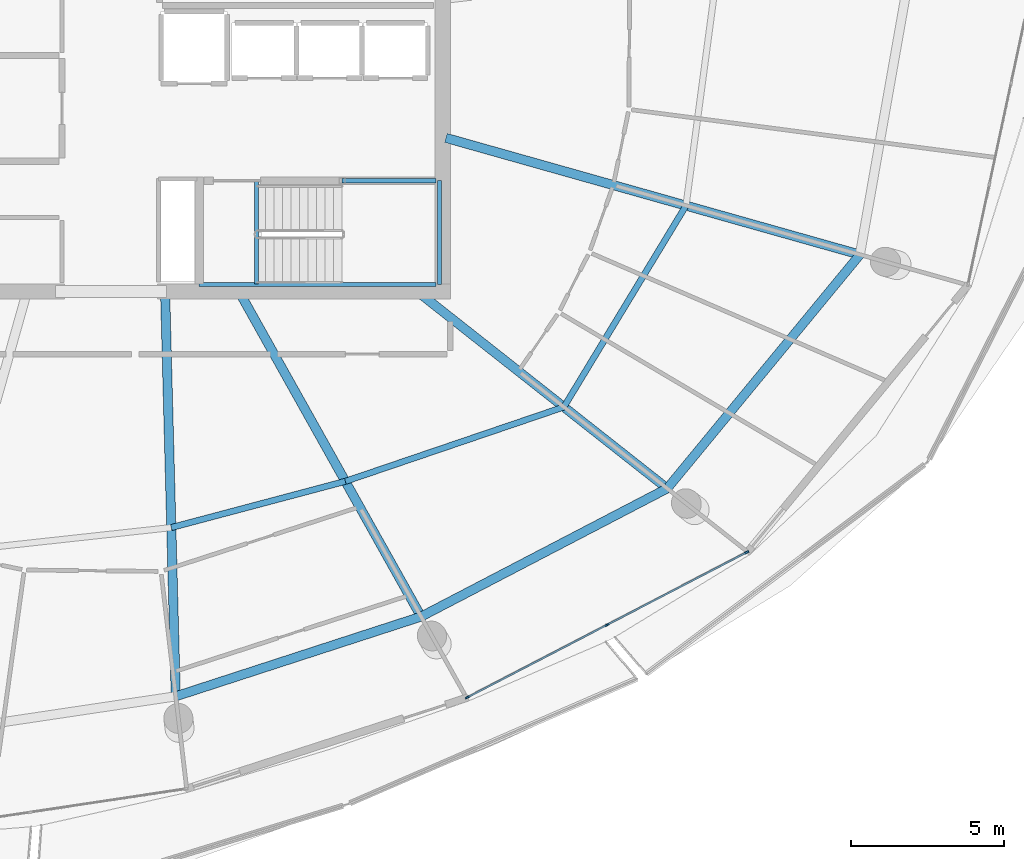
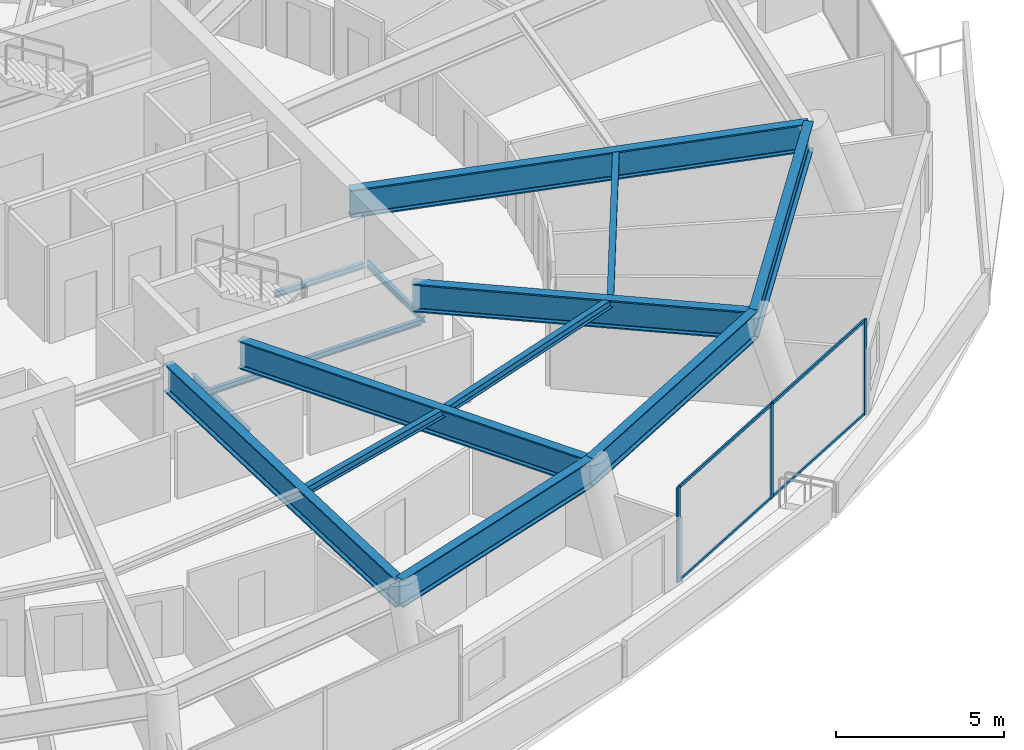
# One storey, part 10 of 30: 14 beams, 7 members, 1 element without a shape of its own.
"""IFC4 building model written with IfcOpenShell, lengths in metres."""

from ifc_helpers import new_model, si_unit, direction, frame, origin, origin_2d, place, context, subcontext, project, spatial, rectangle, i_section, extrude, material, layer, layer_set, material_profile, profile_set, type_object, element, aggregate, save


model = new_model("IFC4")

# Units and contexts
model_context = context("Model", 3, precision=1e-05, world=origin(), true_north=direction((0.0, 1.0)))
body_context = subcontext(model_context, "Body", "Model", "MODEL_VIEW")
ifc_project = project(units=[si_unit("LENGTHUNIT", "METRE"), si_unit("AREAUNIT", "SQUARE_METRE"), si_unit("VOLUMEUNIT", "CUBIC_METRE"), si_unit("PLANEANGLEUNIT", "RADIAN"), si_unit("MASSUNIT", "GRAM", prefix="KILO")], contexts=[model_context])

# Site, building, storey
site_placement = place(None, origin())
site = spatial("IfcSite", under=ifc_project, at=site_placement, CompositionType="ELEMENT")
building_placement = place(site_placement, origin())
building = spatial("IfcBuilding", under=site, at=building_placement, Name="Kazma Halo Residences", CompositionType="ELEMENT")
storey_placement = place(building_placement, frame((0.0, 0.0, 302.14990234375)))
storey = spatial("IfcBuildingStorey", under=building, at=storey_placement, Name="L76", CompositionType="ELEMENT", Elevation=302.14990234375)

# Beams
ifc_material_1 = material(Name="Steel S355", Category="steel")
ifc_material_profile_1 = material_profile(ifc_material_1, i_section(OverallWidth=0.202880859375, OverallDepth=0.302978515625, WebThickness=0.007568359375, FlangeThickness=0.01318359375, FilletRadius=0.013916015625, at=origin_2d()), Name="W310x60")
ifc_profile_set_1 = profile_set([ifc_material_profile_1], Name="Steel S355")
beam_type_1 = type_object("IfcBeamType", Name="BM-SEC-W310A", PredefinedType="JOIST", material=ifc_profile_set_1)
beam_1_placement = place(storey_placement, frame((50.401123046875, 26.012451171875, 3.298583984375), z_axis=(0.966472776829, 0.256769101818, 0.0), x_axis=(-0.256769101818, 0.966472776829, 0.0)))
element("IfcBeam", 1, at=beam_1_placement, inside=storey, type_object=beam_type_1, Name="L76 circumferential floor joist 12", PredefinedType="JOIST", context=body_context, shape_type="SweptSolid", body=[
    extrude(i_section(OverallWidth=0.202880859375, OverallDepth=0.302978515625, WebThickness=0.007568359375, FlangeThickness=0.01318359375, FilletRadius=0.013916015625, at=origin_2d()), origin(), (0.0, 0.0, 1.0), 5.901611328125),
])
beam_2_placement = place(storey_placement, frame((56.10498046875, 27.52783203125, 3.298583984375), z_axis=(0.94674244901, 0.321991824808, 0.0), x_axis=(-0.321991824808, 0.94674244901, 0.0)))
element("IfcBeam", 2, at=beam_2_placement, inside=storey, type_object=beam_type_1, Name="L76 circumferential floor joist 13", PredefinedType="JOIST", context=body_context, shape_type="SweptSolid", body=[
    extrude(i_section(OverallWidth=0.202880859375, OverallDepth=0.302978515625, WebThickness=0.007568359375, FlangeThickness=0.01318359375, FilletRadius=0.013916015625, at=origin_2d()), origin(), (0.0, 0.0, 1.0), 7.5654296875),
])
beam_3_placement = place(storey_placement, frame((63.267578125, 29.9638671875, 3.298583984375), z_axis=(0.51850355017, 0.855075475301, 0.0), x_axis=(-0.855075475301, 0.51850355017, 0.0)))
element("IfcBeam", 3, at=beam_3_placement, inside=storey, type_object=beam_type_1, Name="L76 circumferential floor joist 14", PredefinedType="JOIST", context=body_context, shape_type="SweptSolid", body=[
    extrude(i_section(OverallWidth=0.202880859375, OverallDepth=0.302978515625, WebThickness=0.007568359375, FlangeThickness=0.01318359375, FilletRadius=0.013916015625, at=origin_2d()), origin(), (0.0, 0.0, 1.0), 7.72021484375),
])
ifc_material_profile_2 = material_profile(ifc_material_1, i_section(OverallWidth=0.302001953125, OverallDepth=1.01806640625, WebThickness=0.021484375, FlangeThickness=0.049072265625, FilletRadius=0.028076171875, at=origin_2d()), Name="W1000x443")
ifc_profile_set_2 = profile_set([ifc_material_profile_2], Name="Steel S355")
beam_type_2 = type_object("IfcBeamType", Name="BM-TRANS-W1000A", PredefinedType="BEAM", material=ifc_profile_set_2)
beam_4_placement = place(storey_placement, frame((50.199951171875, 33.64990234375, 2.941162109375), z_axis=(0.026336412982, -0.999653136518, 0.0), x_axis=(0.999653136518, 0.026336412982, 0.0)))
element("IfcBeam", 4, at=beam_4_placement, inside=storey, type_object=beam_type_2, Name="L76 podium radial transfer girder 12", PredefinedType="BEAM", context=body_context, shape_type="SweptSolid", body=[
    extrude(i_section(OverallWidth=0.302001953125, OverallDepth=1.01806640625, WebThickness=0.021484375, FlangeThickness=0.049072265625, FilletRadius=0.028076171875, at=origin_2d()), origin(), (0.0, 0.0, 1.0), 13.1728515625),
])
beam_5_placement = place(storey_placement, frame((52.67626953125, 33.64990234375, 2.941162109375), z_axis=(0.488624876379, -0.872493971431, 0.0), x_axis=(0.872493971431, 0.488624876379, 0.0)))
element("IfcBeam", 5, at=beam_5_placement, inside=storey, type_object=beam_type_2, Name="L76 podium radial transfer girder 13", PredefinedType="BEAM", context=body_context, shape_type="SweptSolid", body=[
    extrude(i_section(OverallWidth=0.302001953125, OverallDepth=1.01806640625, WebThickness=0.021484375, FlangeThickness=0.049072265625, FilletRadius=0.028076171875, at=origin_2d()), origin(), (0.0, 0.0, 1.0), 12.097900390625),
])
beam_6_placement = place(storey_placement, frame((58.591796875, 33.64990234375, 2.941162109375), z_axis=(0.78533364702, -0.6190727444, 0.0), x_axis=(0.6190727444, 0.78533364702, 0.0)))
element("IfcBeam", 6, at=beam_6_placement, inside=storey, type_object=beam_type_2, Name="L76 podium radial transfer girder 14", PredefinedType="BEAM", context=body_context, shape_type="SweptSolid", body=[
    extrude(i_section(OverallWidth=0.302001953125, OverallDepth=1.01806640625, WebThickness=0.021484375, FlangeThickness=0.049072265625, FilletRadius=0.028076171875, at=origin_2d()), origin(), (0.0, 0.0, 1.0), 10.265625),
])
beam_7_placement = place(storey_placement, frame((59.39990234375, 38.784912109375, 2.941162109375), z_axis=(0.962454083935, -0.271444536356, 0.0), x_axis=(0.271444536356, 0.962454083935, 0.0)))
element("IfcBeam", 7, at=beam_7_placement, inside=storey, type_object=beam_type_2, Name="L76 podium radial transfer girder 15", PredefinedType="BEAM", context=body_context, shape_type="SweptSolid", body=[
    extrude(i_section(OverallWidth=0.302001953125, OverallDepth=1.01806640625, WebThickness=0.021484375, FlangeThickness=0.049072265625, FilletRadius=0.028076171875, at=origin_2d()), origin(), (0.0, 0.0, 1.0), 14.09912109375),
])
ifc_material_profile_3 = material_profile(ifc_material_1, i_section(OverallWidth=0.300048828125, OverallDepth=1.0, WebThickness=0.01904296875, FlangeThickness=0.0400390625, FilletRadius=0.02587890625, at=origin_2d()), Name="W1000x371")
ifc_profile_set_3 = profile_set([ifc_material_profile_3], Name="Steel S355")
beam_type_3 = type_object("IfcBeamType", Name="BM-TRANS-W1000B", PredefinedType="BEAM", material=ifc_profile_set_3)
beam_8_placement = place(storey_placement, frame((50.546875, 20.481689453125, 2.9501953125), z_axis=(0.95104998305, 0.309037100914, 0.0), x_axis=(-0.309037100914, 0.95104998305, 0.0)))
element("IfcBeam", 8, at=beam_8_placement, inside=storey, type_object=beam_type_3, Name="L76 perimeter ring beam 12", PredefinedType="BEAM", context=body_context, shape_type="SweptSolid", body=[
    extrude(i_section(OverallWidth=0.300048828125, OverallDepth=1.0, WebThickness=0.01904296875, FlangeThickness=0.0400390625, FilletRadius=0.02587890625, at=origin_2d()), origin(), (0.0, 0.0, 1.0), 8.45458984375),
])
beam_9_placement = place(storey_placement, frame((58.587646484375, 23.094482421875, 2.9501953125), z_axis=(0.886956012642, 0.461853907246, 0.0), x_axis=(-0.461853907246, 0.886956012642, 0.0)))
element("IfcBeam", 9, at=beam_9_placement, inside=storey, type_object=beam_type_3, Name="L76 perimeter ring beam 13", PredefinedType="BEAM", context=body_context, shape_type="SweptSolid", body=[
    extrude(i_section(OverallWidth=0.300048828125, OverallDepth=1.0, WebThickness=0.01904296875, FlangeThickness=0.0400390625, FilletRadius=0.02587890625, at=origin_2d()), origin(), (0.0, 0.0, 1.0), 9.09423828125),
])
beam_10_placement = place(storey_placement, frame((66.65380859375, 27.294677734375, 2.9501953125), z_axis=(0.636015706677, 0.771676111371, 0.0), x_axis=(-0.771676111371, 0.636015706677, 0.0)))
element("IfcBeam", 10, at=beam_10_placement, inside=storey, type_object=beam_type_3, Name="L76 perimeter ring beam 14", PredefinedType="BEAM", context=body_context, shape_type="SweptSolid", body=[
    extrude(i_section(OverallWidth=0.300048828125, OverallDepth=1.0, WebThickness=0.01904296875, FlangeThickness=0.0400390625, FilletRadius=0.02587890625, at=origin_2d()), origin(), (0.0, 0.0, 1.0), 9.930419921875),
])
ifc_material_profile_4 = material_profile(ifc_material_1, i_section(OverallWidth=0.133056640625, OverallDepth=0.20703125, WebThickness=0.005859375, FlangeThickness=0.00830078125, FilletRadius=0.010009765625, at=origin_2d()), Name="W200x26.6")
ifc_profile_set_4 = profile_set([ifc_material_profile_4], Name="Steel S355")
beam_type_4 = type_object("IfcBeamType", Name="BM-TRIM-W200", PredefinedType="BEAM", material=ifc_profile_set_4)
beam_11_placement = place(storey_placement, frame((53.199951171875, 34.0, -0.369873046875), z_axis=(0.0, 1.0, 0.0), x_axis=(-1.0, 0.0, 0.0)))
element("IfcBeam", 11, at=beam_11_placement, inside=storey, type_object=beam_type_4, Name="L76 ST-03 floor landing support beam", PredefinedType="BEAM", context=body_context, shape_type="SweptSolid", body=[
    extrude(i_section(OverallWidth=0.133056640625, OverallDepth=0.20703125, WebThickness=0.005859375, FlangeThickness=0.00830078125, FilletRadius=0.010009765625, at=origin_2d()), origin(), (0.0, 0.0, 1.0), 3.3798828125),
])
beam_12_placement = place(storey_placement, frame((51.31005859375, 33.97998046875, 1.6201171875), z_axis=(1.0, 0.0, 0.0), x_axis=(0.0, 1.0, 0.0)))
element("IfcBeam", 12, at=beam_12_placement, inside=storey, type_object=beam_type_4, Name="L76 ST-03 landing south wall ledger", PredefinedType="BEAM", context=body_context, shape_type="SweptSolid", body=[
    extrude(i_section(OverallWidth=0.133056640625, OverallDepth=0.20703125, WebThickness=0.005859375, FlangeThickness=0.00830078125, FilletRadius=0.010009765625, at=origin_2d()), origin(), (0.0, 0.0, 1.0), 7.760009765625),
])
beam_13_placement = place(storey_placement, frame((56.0, 37.3798828125, 1.6201171875), z_axis=(1.0, 0.0, 0.0), x_axis=(0.0, 1.0, 0.0)))
element("IfcBeam", 13, at=beam_13_placement, inside=storey, type_object=beam_type_4, Name="L76 ST-03 landing north wall ledger", PredefinedType="BEAM", context=body_context, shape_type="SweptSolid", body=[
    extrude(i_section(OverallWidth=0.133056640625, OverallDepth=0.20703125, WebThickness=0.005859375, FlangeThickness=0.00830078125, FilletRadius=0.010009765625, at=origin_2d()), origin(), (0.0, 0.0, 1.0), 3.070068359375),
])
beam_14_placement = place(storey_placement, frame((59.18994140625, 33.97998046875, 1.6201171875), z_axis=(0.0, 1.0, 0.0), x_axis=(-1.0, 0.0, 0.0)))
element("IfcBeam", 14, at=beam_14_placement, inside=storey, type_object=beam_type_4, Name="L76 ST-03 landing end wall ledger", PredefinedType="BEAM", context=body_context, shape_type="SweptSolid", body=[
    extrude(i_section(OverallWidth=0.133056640625, OverallDepth=0.20703125, WebThickness=0.005859375, FlangeThickness=0.00830078125, FilletRadius=0.010009765625, at=origin_2d()), origin(), (0.0, 0.0, 1.0), 3.39990234375),
])

# Curtain wall, members
ifc_material_2 = material(Name="Aluminium AW-6063 T6 and Triple-Silver Low-E Glass", Category="aluminium")
ifc_layer = layer(ifc_material_2, 0.139892578125)
ifc_layer_set = layer_set([ifc_layer], Name="Aluminium AW-6063 T6 and Triple-Silver Low-E Glass")
curtain_wall_type = type_object("IfcCurtainWallType", Name="CW-SYS-5", PredefinedType="NOTDEFINED", material=ifc_layer_set)
curtain_wall_placement = place(storey_placement, origin())
curtain_wall = element("IfcCurtainWall", 15, at=curtain_wall_placement, inside=storey, type_object=curtain_wall_type, Name="L76 unitised curtain wall B13", PredefinedType="NOTDEFINED")
ifc_material_3 = material(Name="Aluminium AW-6063 T6", Category="aluminium")
ifc_material_profile_5 = material_profile(ifc_material_3, rectangle(XDim=0.06005859375, YDim=0.139892578125, at=origin_2d()), Name="CWM-60x140")
ifc_profile_set_5 = profile_set([ifc_material_profile_5], Name="Aluminium AW-6063 T6")
member_type_1 = type_object("IfcMemberType", Name="CW-SYS-5-MUL", PredefinedType="MULLION", material=ifc_profile_set_5)
member_1_placement = place(storey_placement, frame((60.105224609375, 20.446044921875, 0.0), z_axis=(0.0, 0.0, 1.0), x_axis=(-0.460960760804, 0.887420518694, 0.0)))
member_1 = element("IfcMember", 16, at=member_1_placement, type_object=member_type_1, Name="CWS-5 mullion 1", PredefinedType="MULLION", context=body_context, shape_type="SweptSolid", body=[
    extrude(rectangle(XDim=0.06005859375, YDim=0.139892578125, at=origin_2d()), origin(), (0.0, 0.0, 1.0), 3.4501953125),
])
member_2_placement = place(storey_placement, frame((64.68408203125, 22.824462890625, 0.0), z_axis=(0.0, 0.0, 1.0), x_axis=(-0.460960760804, 0.887420518694, 0.0)))
member_2 = element("IfcMember", 17, at=member_2_placement, type_object=member_type_1, Name="CWS-5 mullion 2", PredefinedType="MULLION", context=body_context, shape_type="SweptSolid", body=[
    extrude(rectangle(XDim=0.06005859375, YDim=0.139892578125, at=origin_2d()), origin(), (0.0, 0.0, 1.0), 3.4501953125),
])
member_3_placement = place(storey_placement, frame((69.262939453125, 25.202880859375, 0.0), z_axis=(0.0, 0.0, 1.0), x_axis=(-0.460960760804, 0.887420518694, 0.0)))
member_3 = element("IfcMember", 18, at=member_3_placement, type_object=member_type_1, Name="CWS-5 mullion 3", PredefinedType="MULLION", context=body_context, shape_type="SweptSolid", body=[
    extrude(rectangle(XDim=0.06005859375, YDim=0.139892578125, at=origin_2d()), origin(), (0.0, 0.0, 1.0), 3.4501953125),
])
ifc_material_profile_6 = material_profile(ifc_material_3, rectangle(XDim=0.06005859375, YDim=0.10498046875, at=origin_2d()), Name="CWT-60x105")
ifc_profile_set_6 = profile_set([ifc_material_profile_6], Name="Aluminium AW-6063 T6")
member_type_2 = type_object("IfcMemberType", Name="CW-SYS-5-TRN", PredefinedType="USERDEFINED", material=ifc_profile_set_6)
member_4_placement = place(storey_placement, frame((60.1318359375, 20.4599609375, 0.030029296875), z_axis=(0.887436955863, 0.46092911534, 0.0), x_axis=(-0.46092911534, 0.887436955863, 0.0)))
member_4 = element("IfcMember", 19, at=member_4_placement, type_object=member_type_2, Name="CWS-5 transom 1.1", ObjectType="TRANSOM", PredefinedType="USERDEFINED", context=body_context, shape_type="SweptSolid", body=[
    extrude(rectangle(XDim=0.06005859375, YDim=0.10498046875, at=origin_2d()), origin(), (0.0, 0.0, 1.0), 5.099609375),
])
member_5_placement = place(storey_placement, frame((60.1318359375, 20.4599609375, 3.420166015625), z_axis=(0.887436955863, 0.46092911534, 0.0), x_axis=(-0.46092911534, 0.887436955863, 0.0)))
member_5 = element("IfcMember", 20, at=member_5_placement, type_object=member_type_2, Name="CWS-5 transom 1.2", ObjectType="TRANSOM", PredefinedType="USERDEFINED", context=body_context, shape_type="SweptSolid", body=[
    extrude(rectangle(XDim=0.06005859375, YDim=0.10498046875, at=origin_2d()), origin(), (0.0, 0.0, 1.0), 5.099609375),
])
member_6_placement = place(storey_placement, frame((64.710693359375, 22.83837890625, 0.030029296875), z_axis=(0.887436955863, 0.46092911534, 0.0), x_axis=(-0.46092911534, 0.887436955863, 0.0)))
member_6 = element("IfcMember", 21, at=member_6_placement, type_object=member_type_2, Name="CWS-5 transom 2.1", ObjectType="TRANSOM", PredefinedType="USERDEFINED", context=body_context, shape_type="SweptSolid", body=[
    extrude(rectangle(XDim=0.06005859375, YDim=0.10498046875, at=origin_2d()), origin(), (0.0, 0.0, 1.0), 5.099609375),
])
member_7_placement = place(storey_placement, frame((64.710693359375, 22.83837890625, 3.420166015625), z_axis=(0.887436955863, 0.46092911534, 0.0), x_axis=(-0.46092911534, 0.887436955863, 0.0)))
member_7 = element("IfcMember", 22, at=member_7_placement, type_object=member_type_2, Name="CWS-5 transom 2.2", ObjectType="TRANSOM", PredefinedType="USERDEFINED", context=body_context, shape_type="SweptSolid", body=[
    extrude(rectangle(XDim=0.06005859375, YDim=0.10498046875, at=origin_2d()), origin(), (0.0, 0.0, 1.0), 5.099609375),
])
aggregate(curtain_wall, [member_1, member_2, member_3, member_4, member_5, member_6, member_7])

save(model, "model.ifc")
